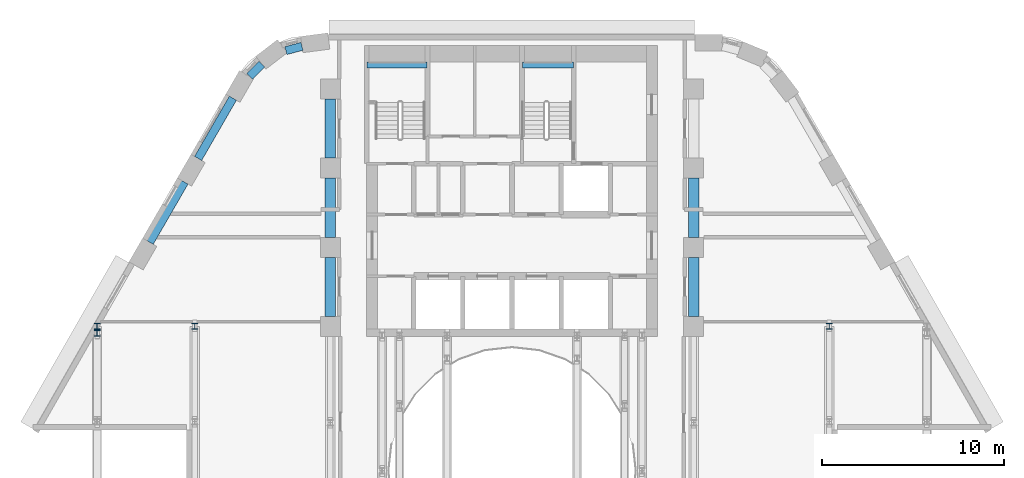
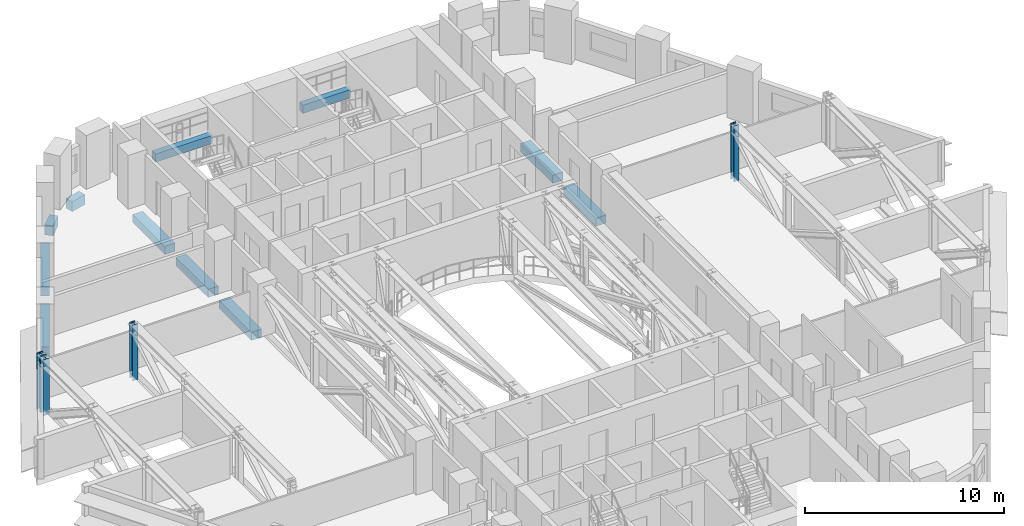
# One storey, part 4 of 18: 11 beams, 4 members.
"""IFC4 building model written with IfcOpenShell, lengths in metres."""

from ifc_helpers import new_model, si_unit, direction, frame, origin, origin_2d, place, context, subcontext, project, spatial, rectangle, i_section, extrude, material, material_profile, profile_set, type_object, element, save


model = new_model("IFC4")

# Units and contexts
model_context = context("Model", 3, precision=1e-05, world=origin(), true_north=direction((0.0, 1.0)))
body_context = subcontext(model_context, "Body", "Model", "MODEL_VIEW")
ifc_project = project(units=[si_unit("LENGTHUNIT", "METRE"), si_unit("AREAUNIT", "SQUARE_METRE"), si_unit("VOLUMEUNIT", "CUBIC_METRE"), si_unit("PLANEANGLEUNIT", "RADIAN"), si_unit("MASSUNIT", "GRAM", prefix="KILO")], contexts=[model_context])

# Site, building, storey
site_placement = place(None, origin())
site = spatial("IfcSite", under=ifc_project, at=site_placement, CompositionType="ELEMENT")
building_placement = place(site_placement, origin())
building = spatial("IfcBuilding", under=site, at=building_placement, Name="Nakaniwa Court", CompositionType="ELEMENT")
storey_placement = place(building_placement, frame((0.0, 0.0, 38.10009765625)))
storey = spatial("IfcBuildingStorey", under=building, at=storey_placement, Name="L09", CompositionType="ELEMENT", Elevation=38.10009765625)

# Beams
ifc_material_1 = material(Name="Concrete C100/115", Category="concrete")
ifc_material_profile_1 = material_profile(ifc_material_1, rectangle(XDim=0.449951171875, YDim=0.60009765625, at=origin_2d()), Name="Concrete C100/115 RC 450x600 spandrel beam")
ifc_profile_set_1 = profile_set([ifc_material_profile_1], Name="Concrete C100/115")
beam_type_1 = type_object("IfcBeamType", Name="Concrete C100/115 RC 450x600 spandrel beam", PredefinedType="BEAM", material=ifc_profile_set_1)
beam_1_placement = place(storey_placement, frame((68.444580078125, 103.35546875, -0.7001953125), z_axis=(-0.966287893493, -0.25746399144, 0.0), x_axis=(0.25746399144, -0.966287893493, 0.0)))
element("IfcBeam", 1, at=beam_1_placement, inside=storey, type_object=beam_type_1, Name="SPANDREL BEAM", PredefinedType="BEAM", context=body_context, shape_type="SweptSolid", body=[
    extrude(rectangle(XDim=0.449951171875, YDim=0.60009765625, at=origin_2d()), origin(), (0.0, 0.0, 1.0), 0.91796875),
])
beam_2_placement = place(storey_placement, frame((66.238525390625, 102.374267578125, -0.7001953125), z_axis=(-0.706081618928, -0.708130459317, 0.0), x_axis=(0.708130459317, -0.706081618928, 0.0)))
element("IfcBeam", 2, at=beam_2_placement, inside=storey, type_object=beam_type_1, Name="SPANDREL BEAM", PredefinedType="BEAM", context=body_context, shape_type="SweptSolid", body=[
    extrude(rectangle(XDim=0.449951171875, YDim=0.60009765625, at=origin_2d()), origin(), (0.0, 0.0, 1.0), 0.953369140625),
])
beam_3_placement = place(storey_placement, frame((64.642578125, 100.5, -0.7001953125), z_axis=(-0.500009674092, -0.866019818373, 0.0), x_axis=(0.866019818373, -0.500009674092, 0.0)))
element("IfcBeam", 3, at=beam_3_placement, inside=storey, type_object=beam_type_1, Name="SPANDREL BEAM", PredefinedType="BEAM", context=body_context, shape_type="SweptSolid", body=[
    extrude(rectangle(XDim=0.449951171875, YDim=0.60009765625, at=origin_2d()), origin(), (0.0, 0.0, 1.0), 3.826171875),
])
beam_4_placement = place(storey_placement, frame((61.9794921875, 95.8876953125, -0.7001953125), z_axis=(-0.499961815444, -0.866047448526, 0.0), x_axis=(0.866047448526, -0.499961815444, 0.0)))
element("IfcBeam", 4, at=beam_4_placement, inside=storey, type_object=beam_type_1, Name="SPANDREL BEAM", PredefinedType="BEAM", context=body_context, shape_type="SweptSolid", body=[
    extrude(rectangle(XDim=0.449951171875, YDim=0.60009765625, at=origin_2d()), origin(), (0.0, 0.0, 1.0), 3.825927734375),
])
ifc_material_profile_2 = material_profile(ifc_material_1, rectangle(XDim=0.60009765625, YDim=0.5, at=origin_2d()), Name="Concrete C100/115 RC 600x500 ring beam")
ifc_profile_set_2 = profile_set([ifc_material_profile_2], Name="Concrete C100/115")
beam_type_2 = type_object("IfcBeamType", Name="Concrete C100/115 RC 600x500 ring beam", PredefinedType="BEAM", material=ifc_profile_set_2)
for number, where, z_axis, x_axis, name in (
    (5, (90.0, 88.5, -0.650146484375), (0.0, 1.0, 0.0), (-1.0, 0.0, 0.0), "RING BEAM"),
    (6, (90.0, 92.85009765625, -0.650146484375), (0.0, 1.0, 0.0), (-1.0, 0.0, 0.0), "RING BEAM"),
    (7, (70.0, 100.449951171875, -0.650146484375), (0.0, -1.0, 0.0), (1.0, 0.0, 0.0), "RING BEAM"),
    (8, (70.0, 96.10009765625, -0.650146484375), (0.0, -1.0, 0.0), (1.0, 0.0, 0.0), "RING BEAM"),
    (9, (70.0, 91.75, -0.650146484375), (0.0, -1.0, 0.0), (1.0, 0.0, 0.0), "RING BEAM"),
):
    element("IfcBeam", number, at=place(storey_placement, frame(where, z_axis=z_axis, x_axis=x_axis)), inside=storey, type_object=beam_type_2, Name=name, PredefinedType="BEAM", context=body_context, shape_type="SweptSolid", body=[
        extrude(rectangle(XDim=0.60009765625, YDim=0.5, at=origin_2d()), origin(), (0.0, 0.0, 1.0), 3.25),
    ])
ifc_material_2 = material(Name="Concrete C80/100", Category="concrete")
ifc_material_profile_3 = material_profile(ifc_material_2, rectangle(XDim=0.35009765625, YDim=0.5, at=origin_2d()), Name="Concrete C80/100 RC 350x500 landing ledge beam")
ifc_profile_set_3 = profile_set([ifc_material_profile_3], Name="Concrete C80/100")
beam_type_3 = type_object("IfcBeamType", Name="Concrete C80/100 RC 350x500 landing ledge beam", PredefinedType="BEAM", material=ifc_profile_set_3)
beam_5_placement = place(storey_placement, frame((72.02490234375, 102.324951171875, 1.199951171875), z_axis=(1.0, 0.0, 0.0), x_axis=(0.0, 1.0, 0.0)))
element("IfcBeam", 10, at=beam_5_placement, inside=storey, type_object=beam_type_3, Name="LANDING LEDGE BEAM", PredefinedType="BEAM", context=body_context, shape_type="SweptSolid", body=[
    extrude(rectangle(XDim=0.35009765625, YDim=0.5, at=origin_2d()), origin(), (0.0, 0.0, 1.0), 3.300048828125),
])
beam_6_placement = place(storey_placement, frame((80.574951171875, 102.324951171875, 1.199951171875), z_axis=(1.0, 0.0, 0.0), x_axis=(0.0, 1.0, 0.0)))
element("IfcBeam", 11, at=beam_6_placement, inside=storey, type_object=beam_type_3, Name="LANDING LEDGE BEAM", PredefinedType="BEAM", context=body_context, shape_type="SweptSolid", body=[
    extrude(rectangle(XDim=0.35009765625, YDim=0.5, at=origin_2d()), origin(), (0.0, 0.0, 1.0), 2.800048828125),
])

# Members
ifc_material_3 = material(Name="Steel Grade 350", Category="steel")
ifc_material_profile_4 = material_profile(ifc_material_3, i_section(OverallWidth=0.30908203125, OverallDepth=0.321044921875, WebThickness=0.013916015625, FlangeThickness=0.021728515625, FilletRadius=0.0166015625, at=origin_2d()), Name="310UC137")
ifc_profile_set_4 = profile_set([ifc_material_profile_4], Name="Steel Grade 350")
member_type_1 = type_object("IfcMemberType", Name="TRANSFER post 310 UC137", PredefinedType="POST", material=ifc_profile_set_4)
for number, where, z_axis, x_axis, name in (
    (12, (62.5419921875, 87.949951171875, -0.400146484375), (0.0, 0.0, 1.0), (1.0, 0.0, 0.0), "TRANSFER POST TT-02-V4"),
    (13, (97.4580078125, 87.949951171875, -0.400146484375), (0.0, 0.0, 1.0), (1.0, 0.0, 0.0), "TRANSFER POST TT-11-V4"),
):
    element("IfcMember", number, at=place(storey_placement, frame(where, z_axis=z_axis, x_axis=x_axis)), inside=storey, type_object=member_type_1, Name=name, PredefinedType="POST", context=body_context, shape_type="SweptSolid", body=[
        extrude(i_section(OverallWidth=0.30908203125, OverallDepth=0.321044921875, WebThickness=0.013916015625, FlangeThickness=0.021728515625, FilletRadius=0.0166015625, at=origin_2d()), origin(), (0.0, 0.0, 1.0), 3.425048828125),
    ])
ifc_material_profile_5 = material_profile(ifc_material_3, i_section(OverallWidth=0.35009765625, OverallDepth=0.35498046875, WebThickness=0.028076171875, FlangeThickness=0.0400390625, at=origin_2d()), Name="350WC280")
ifc_profile_set_5 = profile_set([ifc_material_profile_5], Name="Steel Grade 350")
member_type_2 = type_object("IfcMemberType", Name="TRANSFER post 350 WC280", PredefinedType="POST", material=ifc_profile_set_5)
for number, where, z_axis, x_axis, name in (
    (14, (57.177001953125, 87.569580078125, -0.400146484375), (0.0, 0.0, 1.0), (1.0, 0.0, 0.0), "TRANSFER POST TT-01-V5"),
    (15, (57.177001953125, 87.949951171875, -0.400146484375), (0.0, 0.0, 1.0), (1.0, 0.0, 0.0), "TRANSFER POST TT-01-V6"),
):
    element("IfcMember", number, at=place(storey_placement, frame(where, z_axis=z_axis, x_axis=x_axis)), inside=storey, type_object=member_type_2, Name=name, PredefinedType="POST", context=body_context, shape_type="SweptSolid", body=[
        extrude(i_section(OverallWidth=0.35009765625, OverallDepth=0.35498046875, WebThickness=0.028076171875, FlangeThickness=0.0400390625, at=origin_2d()), origin(), (0.0, 0.0, 1.0), 3.425048828125),
    ])

save(model, "model.ifc")
